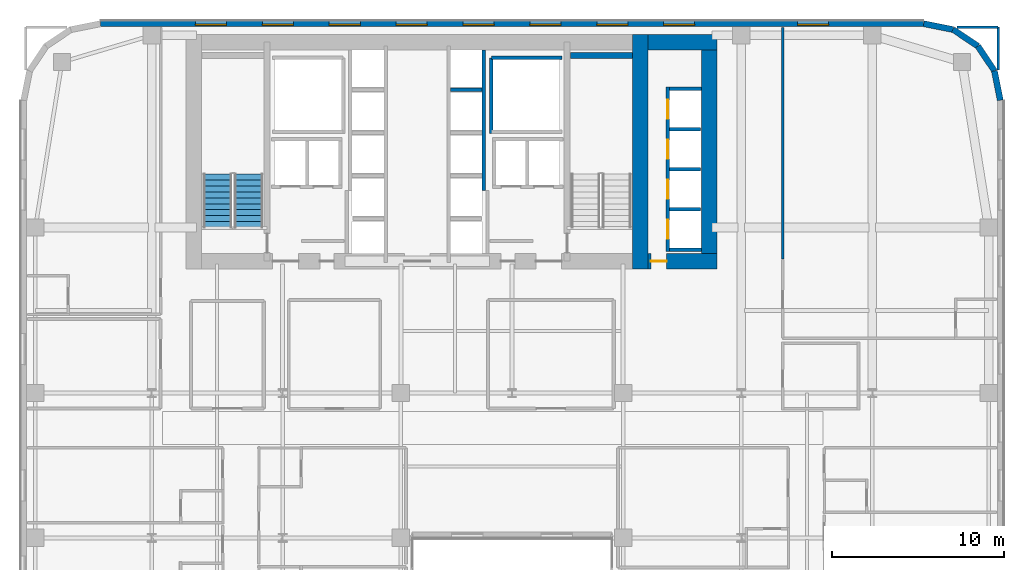
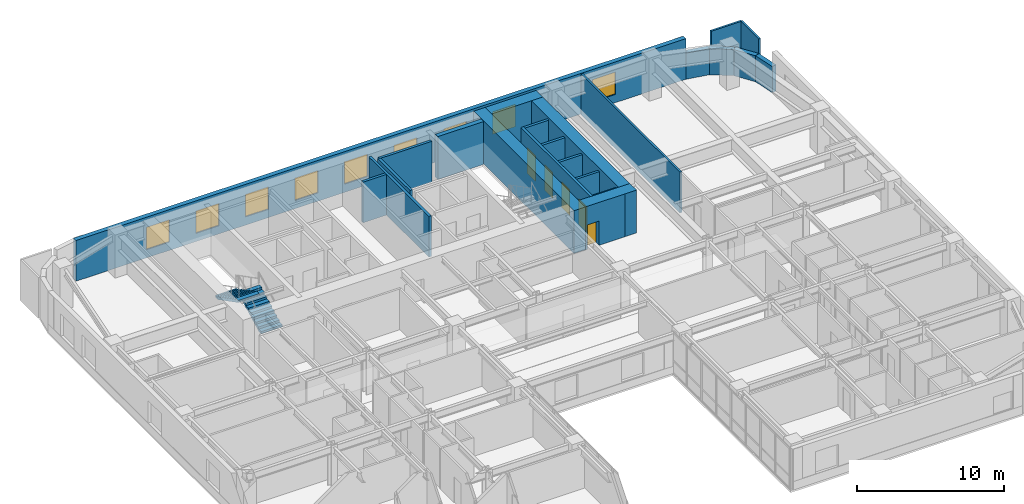
# One storey, part 19 of 25: 23 walls, 9 windows, 5 doors, 2 stair flights, 14 openings, 1 element without a shape of its own.
"""IFC4 building model written with IfcOpenShell, lengths in metres."""

from ifc_helpers import new_model, si_unit, direction, frame, frame_2d, origin, place, context, subcontext, project, spatial, polyline, rectangle, outline, extrude, source, transform, mapped, material, layer, layer_set, type_object, type_shapes, element, fill, aggregate, save


model = new_model("IFC4")

# Units and contexts
model_context = context("Model", 3, precision=1e-05, world=origin(), true_north=direction((0.0, 1.0)))
body_context = subcontext(model_context, "Body", "Model", "MODEL_VIEW")
ifc_project = project(units=[si_unit("LENGTHUNIT", "METRE"), si_unit("AREAUNIT", "SQUARE_METRE"), si_unit("VOLUMEUNIT", "CUBIC_METRE"), si_unit("PLANEANGLEUNIT", "RADIAN"), si_unit("MASSUNIT", "GRAM", prefix="KILO")], contexts=[model_context])

# Site, building, storey
site_placement = place(None, origin())
site = spatial("IfcSite", under=ifc_project, at=site_placement, CompositionType="ELEMENT")
building_placement = place(site_placement, origin())
building = spatial("IfcBuilding", under=site, at=building_placement, Name="Tolvann Quenvar Hotel", CompositionType="ELEMENT")
storey_placement = place(building_placement, frame((0.0, 0.0, 39.10009765625)))
storey = spatial("IfcBuildingStorey", under=building, at=storey_placement, Name="L08", CompositionType="ELEMENT", Elevation=39.10009765625)

# Wall
ifc_material_1 = material(Name="Concrete S80 (80 MPa)", Category="concrete")
ifc_layer_1 = layer(ifc_material_1, 0.89990234375)
ifc_layer_set_1 = layer_set([ifc_layer_1], Name="Concrete S80 (80 MPa)")
wall_type_1 = type_object("IfcWallType", Name="WALL_CORE_900", PredefinedType="SHEAR", material=ifc_layer_set_1)
wall_1_placement = place(storey_placement, frame((35.949951171875, 31.60009765625, 0.0), z_axis=(0.0, 0.0, 1.0), x_axis=(0.0, 1.0, 0.0)))
element("IfcWall", 1, at=wall_1_placement, inside=storey, type_object=wall_type_1, Name="Rear Core E Shear Wall (L08)", PredefinedType="SHEAR", context=body_context, shape_type="SweptSolid", body=[
    extrude(rectangle(XDim=13.599853515625, YDim=0.89990234375, at=frame_2d((6.7998046875, 0.0))), origin(), (0.0, 0.0, 1.0), 3.5498046875),
])

# Wall, opening, door
wall_2_placement = place(storey_placement, frame((36.39990234375, 32.050048828125, 0.0), z_axis=(0.0, 0.0, 1.0), x_axis=(1.0, 0.0, 0.0)))
wall_2 = element("IfcWall", 2, at=wall_2_placement, inside=storey, type_object=wall_type_1, Name="Core East Annex Shear Wall ANN-S (L08)", PredefinedType="SHEAR", context=body_context, shape_type="SweptSolid", body=[
    extrude(rectangle(XDim=4.0, YDim=0.89990234375, at=frame_2d((2.0, 0.0))), origin(), (0.0, 0.0, 1.0), 3.5498046875),
])
opening_1_placement = place(wall_2_placement, frame((1.06982421875, 0.0, 0.0), z_axis=(0.0, 0.0, 1.0), x_axis=(-1.0, 0.0, 0.0)))
opening_1 = element("IfcOpeningElement", 3, at=opening_1_placement, cuts=wall_2, Name="Opening WD-01", PredefinedType="OPENING", context=body_context, shape_type="SweptSolid", body=[
    extrude(rectangle(XDim=0.919921875, YDim=2.010009765625, at=frame_2d((0.4599609375, 1.0048828125))), frame((0.0, 0.4599609375, 0.0), z_axis=(0.0, -1.0, 0.0), x_axis=(1.0, 0.0, 0.0)), (0.0, 0.0, 1.0), 0.919921875),
])
ifc_material_2 = material(Name="Solid-core American oak acoustic fire door leaf in steel frame", Category="steel")
door_type_1 = type_object("IfcDoorType", Name="DOOR_WC_920", OperationType="NOTDEFINED", PredefinedType="DOOR", material=ifc_material_2)
shared_shape_1 = source(origin(), body_context, "Body", "SweptSolid", [
    extrude(rectangle(XDim=0.919921875, YDim=2.010009765625, at=frame_2d((0.4599609375, 1.0048828125))), frame((0.0, 0.02490234375, 0.0), z_axis=(0.0, -1.0, 0.0), x_axis=(1.0, 0.0, 0.0)), (0.0, 0.0, 1.0), 0.050048828125),
])
type_shapes(door_type_1, [shared_shape_1])
door_1_placement = place(opening_1_placement, origin())
door_1 = element("IfcDoor", 4, at=door_1_placement, inside=storey, type_object=door_type_1, Name="Low-Rise Lift Lobby Fire Door (L08)", OperationType="SINGLE_SWING_RIGHT", OverallHeight=2.010009765625, OverallWidth=0.919921875, PredefinedType="DOOR", context=body_context, shape_type="MappedRepresentation", body=[
    mapped(shared_shape_1, transform((0.0, 0.0, 0.0), x_axis=(1.0, 0.0, 0.0), y_axis=(0.0, 1.0, 0.0), z_axis=(0.0, 0.0, 1.0), scale=1.0)),
])
fill(opening_1, door_1)

# Walls
wall_3_placement = place(storey_placement, frame((36.39990234375, 44.75, 0.0), z_axis=(0.0, 0.0, 1.0), x_axis=(1.0, 0.0, 0.0)))
element("IfcWall", 5, at=wall_3_placement, inside=storey, type_object=wall_type_1, Name="Core East Annex Shear Wall ANN-N (L08)", PredefinedType="SHEAR", context=body_context, shape_type="SweptSolid", body=[
    extrude(rectangle(XDim=4.0, YDim=0.89990234375, at=frame_2d((2.0, 0.0))), origin(), (0.0, 0.0, 1.0), 3.5498046875),
])
wall_4_placement = place(storey_placement, frame((39.949951171875, 31.60009765625, 0.0), z_axis=(0.0, 0.0, 1.0), x_axis=(0.0, 1.0, 0.0)))
element("IfcWall", 6, at=wall_4_placement, inside=storey, type_object=wall_type_1, Name="Core East Annex Shear Wall ANN-E (L08)", PredefinedType="SHEAR", context=body_context, shape_type="SweptSolid", body=[
    extrude(rectangle(XDim=13.599853515625, YDim=0.89990234375, at=frame_2d((6.7998046875, 0.0))), origin(), (0.0, 0.0, 1.0), 3.5498046875),
])
ifc_material_3 = material(Name="Concrete S65 (65 MPa)", Category="concrete")
ifc_layer_2 = layer(ifc_material_3, 0.35009765625)
ifc_layer_set_2 = layer_set([ifc_layer_2], Name="Concrete S65 (65 MPa)")
wall_type_2 = type_object("IfcWallType", Name="WALL_CORE_INT_350", PredefinedType="SHEAR", material=ifc_layer_set_2)
wall_5_placement = place(storey_placement, frame((31.8798828125, 43.97509765625, 0.0), z_axis=(0.0, 0.0, 1.0), x_axis=(1.0, 0.0, 0.0)))
element("IfcWall", 7, at=wall_5_placement, inside=storey, type_object=wall_type_2, Name="Core Stair North Closing Shear Wall STC2-N (L08)", PredefinedType="SHEAR", context=body_context, shape_type="SweptSolid", body=[
    extrude(rectangle(XDim=3.60009765625, YDim=0.35009765625, at=frame_2d((1.800048828125, 0.0))), origin(), (0.0, 0.0, 1.0), 3.5498046875),
])
ifc_material_4 = material(Name="Kiln-fired red and buff architectural clay brickwork and terracotta masonry", Category="masonry")
ifc_layer_3 = layer(ifc_material_4, 0.35009765625)
ifc_layer_set_3 = layer_set([ifc_layer_3], Name="Kiln-fired red and buff architectural clay brickwork and terracotta masonry")
wall_type_3 = type_object("IfcWallType", Name="WALL_EXT_BRICK_350", PredefinedType="SOLIDWALL", material=ifc_layer_set_3)
wall_6_placement = place(storey_placement, frame((56.824951171875, 41.3828125, 0.0), z_axis=(0.0, 0.0, 1.0), x_axis=(-0.195011420161, 0.980800971659, 0.0)))
element("IfcWall", 8, at=wall_6_placement, inside=storey, type_object=wall_type_3, Name="Exterior Chicago Brick Wall L08-E14", PredefinedType="SOLIDWALL", context=body_context, shape_type="SweptSolid", body=[
    extrude(rectangle(XDim=1.74267578125, YDim=0.35009765625, at=frame_2d((0.871337890625, 0.0))), origin(), (0.0, 0.0, 1.0), 2.159912109375),
])
for number, where, z_axis, x_axis, name in (
    (9, (56.485107421875, 43.092041015625, 0.0), (0.0, 0.0, 1.0), (-0.55554893791, 0.831483840845, 0.0), "Exterior Chicago Brick Wall L08-E15"),
    (10, (55.526611328125, 44.526611328125, 0.0), (0.0, 0.0, 1.0), (-0.831483840845, 0.55554893791, 0.0), "Exterior Chicago Brick Wall L08-E16"),
):
    element("IfcWall", number, at=place(storey_placement, frame(where, z_axis=z_axis, x_axis=x_axis)), inside=storey, type_object=wall_type_3, Name=name, PredefinedType="SOLIDWALL", context=body_context, shape_type="SweptSolid", body=[
        extrude(rectangle(XDim=1.725341796875, YDim=0.35009765625, at=frame_2d((0.86279296875, 0.0))), origin(), (0.0, 0.0, 1.0), 2.159912109375),
    ])
wall_7_placement = place(storey_placement, frame((54.092041015625, 45.485107421875, 0.0), z_axis=(0.0, 0.0, 1.0), x_axis=(-0.980800971659, 0.195011420161, 0.0)))
element("IfcWall", 11, at=wall_7_placement, inside=storey, type_object=wall_type_3, Name="Exterior Chicago Brick Wall L08-E17", PredefinedType="SOLIDWALL", context=body_context, shape_type="SweptSolid", body=[
    extrude(rectangle(XDim=1.74267578125, YDim=0.35009765625, at=frame_2d((0.871337890625, 0.0))), origin(), (0.0, 0.0, 1.0), 2.159912109375),
])

# Wall, openings, windows
wall_8_placement = place(storey_placement, frame((52.3828125, 45.824951171875, 0.0), z_axis=(0.0, 0.0, 1.0), x_axis=(-1.0, 0.0, 0.0)))
wall_8 = element("IfcWall", 12, at=wall_8_placement, inside=storey, type_object=wall_type_3, Name="Exterior Chicago Brick Wall L08-E18", PredefinedType="SOLIDWALL", context=body_context, shape_type="SweptSolid", body=[
    extrude(rectangle(XDim=47.765625, YDim=0.35009765625, at=frame_2d((23.8828125, 0.0))), origin(), (0.0, 0.0, 1.0), 3.369873046875),
])
opening_2_placement = place(wall_8_placement, frame((5.52099609375, 0.0, 0.679931640625)))
opening_2 = element("IfcOpeningElement", 13, at=opening_2_placement, cuts=wall_8, Name="Opening W-03", PredefinedType="OPENING", context=body_context, shape_type="SweptSolid", body=[
    extrude(rectangle(XDim=1.800048828125, YDim=1.85009765625, at=frame_2d((0.89990234375, 0.925048828125))), frame((0.0, 0.18505859375, 0.0), z_axis=(0.0, -1.0, 0.0), x_axis=(1.0, 0.0, 0.0)), (0.0, 0.0, 1.0), 0.3701171875),
])
opening_3_placement = place(wall_8_placement, frame((13.281982421875, 0.0, 0.679931640625)))
opening_3 = element("IfcOpeningElement", 14, at=opening_3_placement, cuts=wall_8, Name="Opening W-03", PredefinedType="OPENING", context=body_context, shape_type="SweptSolid", body=[
    extrude(rectangle(XDim=1.800048828125, YDim=1.85009765625, at=frame_2d((0.89990234375, 0.925048828125))), frame((0.0, 0.18505859375, 0.0), z_axis=(0.0, -1.0, 0.0), x_axis=(1.0, 0.0, 0.0)), (0.0, 0.0, 1.0), 0.3701171875),
])
opening_4_placement = place(wall_8_placement, frame((17.162109375, 0.0, 0.679931640625)))
opening_4 = element("IfcOpeningElement", 15, at=opening_4_placement, cuts=wall_8, Name="Opening W-03", PredefinedType="OPENING", context=body_context, shape_type="SweptSolid", body=[
    extrude(rectangle(XDim=1.800048828125, YDim=1.85009765625, at=frame_2d((0.89990234375, 0.925048828125))), frame((0.0, 0.18505859375, 0.0), z_axis=(0.0, -1.0, 0.0), x_axis=(1.0, 0.0, 0.0)), (0.0, 0.0, 1.0), 0.3701171875),
])
opening_5_placement = place(wall_8_placement, frame((21.04296875, 0.0, 0.679931640625)))
opening_5 = element("IfcOpeningElement", 16, at=opening_5_placement, cuts=wall_8, Name="Opening W-03", PredefinedType="OPENING", context=body_context, shape_type="SweptSolid", body=[
    extrude(rectangle(XDim=1.800048828125, YDim=1.85009765625, at=frame_2d((0.89990234375, 0.925048828125))), frame((0.0, 0.18505859375, 0.0), z_axis=(0.0, -1.0, 0.0), x_axis=(1.0, 0.0, 0.0)), (0.0, 0.0, 1.0), 0.3701171875),
])
opening_6_placement = place(wall_8_placement, frame((24.923095703125, 0.0, 0.679931640625)))
opening_6 = element("IfcOpeningElement", 17, at=opening_6_placement, cuts=wall_8, Name="Opening W-03", PredefinedType="OPENING", context=body_context, shape_type="SweptSolid", body=[
    extrude(rectangle(XDim=1.800048828125, YDim=1.85009765625, at=frame_2d((0.89990234375, 0.925048828125))), frame((0.0, 0.18505859375, 0.0), z_axis=(0.0, -1.0, 0.0), x_axis=(1.0, 0.0, 0.0)), (0.0, 0.0, 1.0), 0.3701171875),
])
opening_7_placement = place(wall_8_placement, frame((28.803955078125, 0.0, 0.679931640625)))
opening_7 = element("IfcOpeningElement", 18, at=opening_7_placement, cuts=wall_8, Name="Opening W-03", PredefinedType="OPENING", context=body_context, shape_type="SweptSolid", body=[
    extrude(rectangle(XDim=1.800048828125, YDim=1.85009765625, at=frame_2d((0.89990234375, 0.925048828125))), frame((0.0, 0.18505859375, 0.0), z_axis=(0.0, -1.0, 0.0), x_axis=(1.0, 0.0, 0.0)), (0.0, 0.0, 1.0), 0.3701171875),
])
opening_8_placement = place(wall_8_placement, frame((32.68408203125, 0.0, 0.679931640625)))
opening_8 = element("IfcOpeningElement", 19, at=opening_8_placement, cuts=wall_8, Name="Opening W-03", PredefinedType="OPENING", context=body_context, shape_type="SweptSolid", body=[
    extrude(rectangle(XDim=1.800048828125, YDim=1.85009765625, at=frame_2d((0.89990234375, 0.925048828125))), frame((0.0, 0.18505859375, 0.0), z_axis=(0.0, -1.0, 0.0), x_axis=(1.0, 0.0, 0.0)), (0.0, 0.0, 1.0), 0.3701171875),
])
opening_9_placement = place(wall_8_placement, frame((36.56396484375, 0.0, 0.679931640625)))
opening_9 = element("IfcOpeningElement", 20, at=opening_9_placement, cuts=wall_8, Name="Opening W-03", PredefinedType="OPENING", context=body_context, shape_type="SweptSolid", body=[
    extrude(rectangle(XDim=1.800048828125, YDim=1.85009765625, at=frame_2d((0.89990234375, 0.925048828125))), frame((0.0, 0.18505859375, 0.0), z_axis=(0.0, -1.0, 0.0), x_axis=(1.0, 0.0, 0.0)), (0.0, 0.0, 1.0), 0.3701171875),
])
opening_10_placement = place(wall_8_placement, frame((40.445068359375, 0.0, 0.679931640625)))
opening_10 = element("IfcOpeningElement", 21, at=opening_10_placement, cuts=wall_8, Name="Opening W-03", PredefinedType="OPENING", context=body_context, shape_type="SweptSolid", body=[
    extrude(rectangle(XDim=1.800048828125, YDim=1.85009765625, at=frame_2d((0.89990234375, 0.925048828125))), frame((0.0, 0.18505859375, 0.0), z_axis=(0.0, -1.0, 0.0), x_axis=(1.0, 0.0, 0.0)), (0.0, 0.0, 1.0), 0.3701171875),
])
ifc_material_5 = material(Name="Thermally broken bronze-anodised aluminium frame with double low-E glazing", Category="aluminium")
window_type = type_object("IfcWindowType", Name="WIN_CHI_1800x2050", PartitioningType="TRIPLE_PANEL_HORIZONTAL", PredefinedType="WINDOW", material=ifc_material_5)
shared_shape_2 = source(origin(), body_context, "Body", "SweptSolid", [
    extrude(rectangle(XDim=1.800048828125, YDim=1.85009765625, at=frame_2d((0.89990234375, 0.925048828125))), frame((0.0, 0.090087890625, 0.0), z_axis=(0.0, -1.0, 0.0), x_axis=(1.0, 0.0, 0.0)), (0.0, 0.0, 1.0), 0.06005859375),
])
type_shapes(window_type, [shared_shape_2])
window_1_placement = place(opening_2_placement, origin())
window_1 = element("IfcWindow", 22, at=window_1_placement, inside=storey, type_object=window_type, Name="Chicago Window W-03 (EW-L08-E18-W01)", OverallHeight=1.85009765625, OverallWidth=1.800048828125, PartitioningType="TRIPLE_PANEL_HORIZONTAL", PredefinedType="WINDOW", context=body_context, shape_type="MappedRepresentation", body=[
    mapped(shared_shape_2, transform((0.0, 0.0, 0.0), x_axis=(1.0, 0.0, 0.0), y_axis=(0.0, 1.0, 0.0), z_axis=(0.0, 0.0, 1.0), scale=1.0)),
])
fill(opening_2, window_1)
window_2_placement = place(opening_3_placement, origin())
window_2 = element("IfcWindow", 23, at=window_2_placement, inside=storey, type_object=window_type, Name="Chicago Window W-03 (EW-L08-E18-W02)", OverallHeight=1.85009765625, OverallWidth=1.800048828125, PartitioningType="TRIPLE_PANEL_HORIZONTAL", PredefinedType="WINDOW", context=body_context, shape_type="MappedRepresentation", body=[
    mapped(shared_shape_2, transform((0.0, 0.0, 0.0), x_axis=(1.0, 0.0, 0.0), y_axis=(0.0, 1.0, 0.0), z_axis=(0.0, 0.0, 1.0), scale=1.0)),
])
fill(opening_3, window_2)
window_3_placement = place(opening_4_placement, origin())
window_3 = element("IfcWindow", 24, at=window_3_placement, inside=storey, type_object=window_type, Name="Chicago Window W-03 (EW-L08-E18-W03)", OverallHeight=1.85009765625, OverallWidth=1.800048828125, PartitioningType="TRIPLE_PANEL_HORIZONTAL", PredefinedType="WINDOW", context=body_context, shape_type="MappedRepresentation", body=[
    mapped(shared_shape_2, transform((0.0, 0.0, 0.0), x_axis=(1.0, 0.0, 0.0), y_axis=(0.0, 1.0, 0.0), z_axis=(0.0, 0.0, 1.0), scale=1.0)),
])
fill(opening_4, window_3)
window_4_placement = place(opening_5_placement, origin())
window_4 = element("IfcWindow", 25, at=window_4_placement, inside=storey, type_object=window_type, Name="Chicago Window W-03 (EW-L08-E18-W04)", OverallHeight=1.85009765625, OverallWidth=1.800048828125, PartitioningType="TRIPLE_PANEL_HORIZONTAL", PredefinedType="WINDOW", context=body_context, shape_type="MappedRepresentation", body=[
    mapped(shared_shape_2, transform((0.0, 0.0, 0.0), x_axis=(1.0, 0.0, 0.0), y_axis=(0.0, 1.0, 0.0), z_axis=(0.0, 0.0, 1.0), scale=1.0)),
])
fill(opening_5, window_4)
window_5_placement = place(opening_6_placement, origin())
window_5 = element("IfcWindow", 26, at=window_5_placement, inside=storey, type_object=window_type, Name="Chicago Window W-03 (EW-L08-E18-W05)", OverallHeight=1.85009765625, OverallWidth=1.800048828125, PartitioningType="TRIPLE_PANEL_HORIZONTAL", PredefinedType="WINDOW", context=body_context, shape_type="MappedRepresentation", body=[
    mapped(shared_shape_2, transform((0.0, 0.0, 0.0), x_axis=(1.0, 0.0, 0.0), y_axis=(0.0, 1.0, 0.0), z_axis=(0.0, 0.0, 1.0), scale=1.0)),
])
fill(opening_6, window_5)
window_6_placement = place(opening_7_placement, origin())
window_6 = element("IfcWindow", 27, at=window_6_placement, inside=storey, type_object=window_type, Name="Chicago Window W-03 (EW-L08-E18-W06)", OverallHeight=1.85009765625, OverallWidth=1.800048828125, PartitioningType="TRIPLE_PANEL_HORIZONTAL", PredefinedType="WINDOW", context=body_context, shape_type="MappedRepresentation", body=[
    mapped(shared_shape_2, transform((0.0, 0.0, 0.0), x_axis=(1.0, 0.0, 0.0), y_axis=(0.0, 1.0, 0.0), z_axis=(0.0, 0.0, 1.0), scale=1.0)),
])
fill(opening_7, window_6)
window_7_placement = place(opening_8_placement, origin())
window_7 = element("IfcWindow", 28, at=window_7_placement, inside=storey, type_object=window_type, Name="Chicago Window W-03 (EW-L08-E18-W07)", OverallHeight=1.85009765625, OverallWidth=1.800048828125, PartitioningType="TRIPLE_PANEL_HORIZONTAL", PredefinedType="WINDOW", context=body_context, shape_type="MappedRepresentation", body=[
    mapped(shared_shape_2, transform((0.0, 0.0, 0.0), x_axis=(1.0, 0.0, 0.0), y_axis=(0.0, 1.0, 0.0), z_axis=(0.0, 0.0, 1.0), scale=1.0)),
])
fill(opening_8, window_7)
window_8_placement = place(opening_9_placement, origin())
window_8 = element("IfcWindow", 29, at=window_8_placement, inside=storey, type_object=window_type, Name="Chicago Window W-03 (EW-L08-E18-W08)", OverallHeight=1.85009765625, OverallWidth=1.800048828125, PartitioningType="TRIPLE_PANEL_HORIZONTAL", PredefinedType="WINDOW", context=body_context, shape_type="MappedRepresentation", body=[
    mapped(shared_shape_2, transform((0.0, 0.0, 0.0), x_axis=(1.0, 0.0, 0.0), y_axis=(0.0, 1.0, 0.0), z_axis=(0.0, 0.0, 1.0), scale=1.0)),
])
fill(opening_9, window_8)
window_9_placement = place(opening_10_placement, origin())
window_9 = element("IfcWindow", 30, at=window_9_placement, inside=storey, type_object=window_type, Name="Chicago Window W-03 (EW-L08-E18-W09)", OverallHeight=1.85009765625, OverallWidth=1.800048828125, PartitioningType="TRIPLE_PANEL_HORIZONTAL", PredefinedType="WINDOW", context=body_context, shape_type="MappedRepresentation", body=[
    mapped(shared_shape_2, transform((0.0, 0.0, 0.0), x_axis=(1.0, 0.0, 0.0), y_axis=(0.0, 1.0, 0.0), z_axis=(0.0, 0.0, 1.0), scale=1.0)),
])
fill(opening_10, window_9)

# Walls
ifc_material_6 = material(Name="Acoustic twin-stud fire-rated gypsum plasterboard partition")
ifc_layer_4 = layer(ifc_material_6, 0.14990234375)
ifc_layer_set_4 = layer_set([ifc_layer_4], Name="Acoustic twin-stud fire-rated gypsum plasterboard partition")
wall_type_4 = type_object("IfcWallType", Name="WALL_PART_SUITE_150", PredefinedType="PARTITIONING", material=ifc_layer_set_4)
wall_9_placement = place(storey_placement, frame((56.699951171875, 43.135009765625, 0.0), z_axis=(0.0, 0.0, 1.0), x_axis=(0.0, 1.0, 0.0)))
element("IfcWall", 31, at=wall_9_placement, inside=storey, type_object=wall_type_4, Name="Interior Partition PT-SPC-L08-RM-NE01-E4", PredefinedType="PARTITIONING", context=body_context, shape_type="SweptSolid", body=[
    extrude(rectangle(XDim=2.485107421875, YDim=0.14990234375, at=frame_2d((1.24267578125, 0.0))), origin(), (0.0, 0.0, 1.0), 3.369873046875),
])
wall_10_placement = place(storey_placement, frame((54.303955078125, 45.6201171875, 0.0), z_axis=(0.0, 0.0, 1.0), x_axis=(1.0, 0.0, 0.0)))
element("IfcWall", 32, at=wall_10_placement, inside=storey, type_object=wall_type_4, Name="Interior Partition PT-SPC-L08-RM-NE01-E5", PredefinedType="PARTITIONING", context=body_context, shape_type="SweptSolid", body=[
    extrude(rectangle(XDim=2.39599609375, YDim=0.14990234375, at=frame_2d((1.197998046875, 0.0))), origin(), (0.0, 0.0, 1.0), 3.369873046875),
])
wall_11_placement = place(storey_placement, frame((44.199951171875, 32.169921875, 0.0), z_axis=(0.0, 0.0, 1.0), x_axis=(0.0, 1.0, 0.0)))
element("IfcWall", 33, at=wall_11_placement, inside=storey, type_object=wall_type_4, Name="Interior Partition PT-SPC-L08-RM-NE01-E6", PredefinedType="PARTITIONING", context=body_context, shape_type="SweptSolid", body=[
    extrude(rectangle(XDim=13.425048828125, YDim=0.14990234375, at=frame_2d((6.71240234375, 0.0))), origin(), (0.0, 0.0, 1.0), 3.369873046875),
])
ifc_material_7 = material(Name="Concrete N40 (40 MPa)", Category="concrete")
ifc_layer_5 = layer(ifc_material_7, 0.199951171875)
ifc_layer_set_5 = layer_set([ifc_layer_5], Name="Concrete N40 (40 MPa)")
wall_type_5 = type_object("IfcWallType", Name="WALL_SHAFT_200", PredefinedType="SOLIDWALL", material=ifc_layer_set_5)
wall_12_placement = place(storey_placement, frame((27.300048828125, 39.449951171875, 0.0), z_axis=(0.0, 0.0, 1.0), x_axis=(0.0, 1.0, 0.0)))
element("IfcWall", 34, at=wall_12_placement, inside=storey, type_object=wall_type_5, Name="Service Riser E Shaft Wall IN (L08)", PredefinedType="SOLIDWALL", context=body_context, shape_type="SweptSolid", body=[
    extrude(rectangle(XDim=4.400146484375, YDim=0.199951171875, at=frame_2d((2.2001953125, 0.0))), origin(), (0.0, 0.0, 1.0), 3.369873046875),
])
wall_13_placement = place(storey_placement, frame((27.300048828125, 43.85009765625, 0.0), z_axis=(0.0, 0.0, 1.0), x_axis=(1.0, 0.0, 0.0)))
element("IfcWall", 35, at=wall_13_placement, inside=storey, type_object=wall_type_5, Name="Service Riser E Shaft Wall N (L08)", PredefinedType="SOLIDWALL", context=body_context, shape_type="SweptSolid", body=[
    extrude(rectangle(XDim=4.099853515625, YDim=0.199951171875, at=frame_2d((2.0498046875, 0.0))), origin(), (0.0, 0.0, 1.0), 3.369873046875),
])
wall_14_placement = place(storey_placement, frame((26.8701171875, 36.159912109375, 0.0), z_axis=(0.0, 0.0, 1.0), x_axis=(0.0, 1.0, 0.0)))
element("IfcWall", 36, at=wall_14_placement, inside=storey, type_object=wall_type_5, Name="Lift Bank W24.9C1 Hoistway Rear Wall (L08)", PredefinedType="SOLIDWALL", context=body_context, shape_type="SweptSolid", body=[
    extrude(rectangle(XDim=8.135986328125, YDim=0.199951171875, at=frame_2d((4.06787109375, 0.0))), origin(), (0.0, 0.0, 1.0), 3.369873046875),
])
wall_15_placement = place(storey_placement, frame((24.929931640625, 42.0, 0.0), z_axis=(0.0, 0.0, 1.0), x_axis=(1.0, 0.0, 0.0)))
element("IfcWall", 37, at=wall_15_placement, inside=storey, type_object=wall_type_5, Name="Lift Bank W24.9C1 Divider Wall 4 (L08)", PredefinedType="SOLIDWALL", context=body_context, shape_type="SweptSolid", body=[
    extrude(rectangle(XDim=1.840087890625, YDim=0.199951171875, at=frame_2d((0.919921875, 0.0))), origin(), (0.0, 0.0, 1.0), 3.369873046875),
])

# Wall, openings, doors
wall_16_placement = place(storey_placement, frame((37.530029296875, 32.610107421875, 0.0), z_axis=(0.0, 0.0, 1.0), x_axis=(0.0, 1.0, 0.0)))
wall_16 = element("IfcWall", 38, at=wall_16_placement, inside=storey, type_object=wall_type_5, Name="Lift Bank W37.6C1 Hoistway Front Wall (L08)", PredefinedType="SOLIDWALL", context=body_context, shape_type="SweptSolid", body=[
    extrude(rectangle(XDim=9.539794921875, YDim=0.199951171875, at=frame_2d((4.77001953125, 0.0))), origin(), (0.0, 0.0, 1.0), 3.369873046875),
])
opening_11_placement = place(wall_16_placement, frame((0.739990234375, 0.0, 0.0)))
opening_11 = element("IfcOpeningElement", 39, at=opening_11_placement, cuts=wall_16, Name="Opening LD-01", PredefinedType="OPENING", context=body_context, shape_type="SweptSolid", body=[
    extrude(rectangle(XDim=1.10009765625, YDim=2.1201171875, at=frame_2d((0.550048828125, 1.06005859375))), frame((0.0, 0.10986328125, 0.0), z_axis=(0.0, -1.0, 0.0), x_axis=(1.0, 0.0, 0.0)), (0.0, 0.0, 1.0), 0.219970703125),
])
opening_12_placement = place(wall_16_placement, frame((3.06005859375, 0.0, 0.0)))
opening_12 = element("IfcOpeningElement", 40, at=opening_12_placement, cuts=wall_16, Name="Opening LD-01", PredefinedType="OPENING", context=body_context, shape_type="SweptSolid", body=[
    extrude(rectangle(XDim=1.10009765625, YDim=2.1201171875, at=frame_2d((0.550048828125, 1.06005859375))), frame((0.0, 0.10986328125, 0.0), z_axis=(0.0, -1.0, 0.0), x_axis=(1.0, 0.0, 0.0)), (0.0, 0.0, 1.0), 0.219970703125),
])
opening_13_placement = place(wall_16_placement, frame((5.3798828125, 0.0, 0.0)))
opening_13 = element("IfcOpeningElement", 41, at=opening_13_placement, cuts=wall_16, Name="Opening LD-01", PredefinedType="OPENING", context=body_context, shape_type="SweptSolid", body=[
    extrude(rectangle(XDim=1.10009765625, YDim=2.1201171875, at=frame_2d((0.550048828125, 1.06005859375))), frame((0.0, 0.10986328125, 0.0), z_axis=(0.0, -1.0, 0.0), x_axis=(1.0, 0.0, 0.0)), (0.0, 0.0, 1.0), 0.219970703125),
])
opening_14_placement = place(wall_16_placement, frame((7.699951171875, 0.0, 0.0)))
opening_14 = element("IfcOpeningElement", 42, at=opening_14_placement, cuts=wall_16, Name="Opening LD-01", PredefinedType="OPENING", context=body_context, shape_type="SweptSolid", body=[
    extrude(rectangle(XDim=1.10009765625, YDim=2.1201171875, at=frame_2d((0.550048828125, 1.06005859375))), frame((0.0, 0.10986328125, 0.0), z_axis=(0.0, -1.0, 0.0), x_axis=(1.0, 0.0, 0.0)), (0.0, 0.0, 1.0), 0.219970703125),
])
ifc_material_8 = material(Name="Brushed 316 stainless steel automatic sliding lift landing door", Category="steel")
door_type_2 = type_object("IfcDoorType", Name="DOOR_LIFT_SLIDE_1100", OperationType="NOTDEFINED", PredefinedType="DOOR", material=ifc_material_8)
shared_shape_3 = source(origin(), body_context, "Body", "SweptSolid", [
    extrude(rectangle(XDim=1.10009765625, YDim=2.1201171875, at=frame_2d((0.550048828125, 1.06005859375))), frame((0.0, 0.02490234375, 0.0), z_axis=(0.0, -1.0, 0.0), x_axis=(1.0, 0.0, 0.0)), (0.0, 0.0, 1.0), 0.050048828125),
])
type_shapes(door_type_2, [shared_shape_3])
door_2_placement = place(opening_11_placement, origin())
door_2 = element("IfcDoor", 43, at=door_2_placement, inside=storey, type_object=door_type_2, Name="Lift PL-1 Sliding Landing Door (L08)", OperationType="SLIDING_TO_LEFT", OverallHeight=2.1201171875, OverallWidth=1.10009765625, PredefinedType="DOOR", context=body_context, shape_type="MappedRepresentation", body=[
    mapped(shared_shape_3, transform((0.0, 0.0, 0.0), x_axis=(1.0, 0.0, 0.0), y_axis=(0.0, 1.0, 0.0), z_axis=(0.0, 0.0, 1.0), scale=1.0)),
])
fill(opening_11, door_2)
door_3_placement = place(opening_12_placement, origin())
door_3 = element("IfcDoor", 44, at=door_3_placement, inside=storey, type_object=door_type_2, Name="Lift PL-2 Sliding Landing Door (L08)", OperationType="SLIDING_TO_RIGHT", OverallHeight=2.1201171875, OverallWidth=1.10009765625, PredefinedType="DOOR", context=body_context, shape_type="MappedRepresentation", body=[
    mapped(shared_shape_3, transform((0.0, 0.0, 0.0), x_axis=(1.0, 0.0, 0.0), y_axis=(0.0, 1.0, 0.0), z_axis=(0.0, 0.0, 1.0), scale=1.0)),
])
fill(opening_12, door_3)
door_4_placement = place(opening_13_placement, origin())
door_4 = element("IfcDoor", 45, at=door_4_placement, inside=storey, type_object=door_type_2, Name="Lift PL-3 Sliding Landing Door (L08)", OperationType="SLIDING_TO_LEFT", OverallHeight=2.1201171875, OverallWidth=1.10009765625, PredefinedType="DOOR", context=body_context, shape_type="MappedRepresentation", body=[
    mapped(shared_shape_3, transform((0.0, 0.0, 0.0), x_axis=(1.0, 0.0, 0.0), y_axis=(0.0, 1.0, 0.0), z_axis=(0.0, 0.0, 1.0), scale=1.0)),
])
fill(opening_13, door_4)
door_5_placement = place(opening_14_placement, origin())
door_5 = element("IfcDoor", 46, at=door_5_placement, inside=storey, type_object=door_type_2, Name="Lift PL-4 Sliding Landing Door (L08)", OperationType="SLIDING_TO_RIGHT", OverallHeight=2.1201171875, OverallWidth=1.10009765625, PredefinedType="DOOR", context=body_context, shape_type="MappedRepresentation", body=[
    mapped(shared_shape_3, transform((0.0, 0.0, 0.0), x_axis=(1.0, 0.0, 0.0), y_axis=(0.0, 1.0, 0.0), z_axis=(0.0, 0.0, 1.0), scale=1.0)),
])
fill(opening_14, door_5)

# Walls
for number, where, z_axis, x_axis, name in (
    (47, (37.6298828125, 32.7099609375, 0.0), (0.0, 0.0, 1.0), (1.0, 0.0, 0.0), "Lift Bank W37.6C1 Hoistway Cheek Wall 1 (L08)"),
    (48, (37.6298828125, 42.050048828125, 0.0), (0.0, 0.0, 1.0), (1.0, 0.0, 0.0), "Lift Bank W37.6C1 Hoistway Cheek Wall 2 (L08)"),
):
    element("IfcWall", number, at=place(storey_placement, frame(where, z_axis=z_axis, x_axis=x_axis)), inside=storey, type_object=wall_type_5, Name=name, PredefinedType="SOLIDWALL", context=body_context, shape_type="SweptSolid", body=[
        extrude(rectangle(XDim=1.8701171875, YDim=0.199951171875, at=frame_2d((0.93505859375, 0.0))), origin(), (0.0, 0.0, 1.0), 3.369873046875),
    ])
for number, where, z_axis, x_axis, name in (
    (49, (37.6298828125, 35.06005859375, 0.0), (0.0, 0.0, 1.0), (1.0, 0.0, 0.0), "Lift Bank W37.6C1 Divider Wall 1 (L08)"),
    (50, (37.6298828125, 37.3798828125, 0.0), (0.0, 0.0, 1.0), (1.0, 0.0, 0.0), "Lift Bank W37.6C1 Divider Wall 2 (L08)"),
    (51, (37.6298828125, 39.699951171875, 0.0), (0.0, 0.0, 1.0), (1.0, 0.0, 0.0), "Lift Bank W37.6C1 Divider Wall 3 (L08)"),
):
    element("IfcWall", number, at=place(storey_placement, frame(where, z_axis=z_axis, x_axis=x_axis)), inside=storey, type_object=wall_type_5, Name=name, PredefinedType="SOLIDWALL", context=body_context, shape_type="SweptSolid", body=[
        extrude(rectangle(XDim=1.800048828125, YDim=0.199951171875, at=frame_2d((0.89990234375, 0.0))), origin(), (0.0, 0.0, 1.0), 3.369873046875),
    ])

# Stair, stair flights
stair_type = type_object("IfcStairType", Name="STAIR", PredefinedType="HALF_TURN_STAIR", material=ifc_material_7)
stair_placement = place(storey_placement, origin())
stair = element("IfcStair", 52, at=stair_placement, inside=storey, type_object=stair_type, Name="L08 ST-C1", PredefinedType="HALF_TURN_STAIR")
stair_flight_type = type_object("IfcStairFlightType", Name="STAIR_FLIGHT", PredefinedType="STRAIGHT", material=ifc_material_7)
stair_flight_1_placement = place(storey_placement, frame((13.22509765625, 34.0, 0.0), z_axis=(0.0, 0.0, 1.0), x_axis=(0.0, 1.0, 0.0)))
stair_flight_1 = element("IfcStairFlight", 53, at=stair_flight_1_placement, type_object=stair_flight_type, Name="ST-C1 flight 1", NumberOfRisers=10, NumberOfTreads=9, PredefinedType="STRAIGHT", RiserHeight=0.1775, TreadLength=0.345, context=body_context, shape_type="SweptSolid", body=[
    extrude(outline(polyline([(0.0, 0.0), (0.0, 0.177490234375), (0.344970703125, 0.177490234375), (0.344970703125, 0.35498046875), (0.68994140625, 0.35498046875), (0.68994140625, 0.532470703125), (1.034912109375, 0.532470703125), (1.034912109375, 0.7099609375), (1.3798828125, 0.7099609375), (1.3798828125, 0.887451171875), (1.72509765625, 0.887451171875), (1.72509765625, 1.06494140625), (2.070068359375, 1.06494140625), (2.070068359375, 1.242431640625), (2.4150390625, 1.242431640625), (2.4150390625, 1.419921875), (2.760009765625, 1.419921875), (2.760009765625, 1.597412109375), (3.10498046875, 1.597412109375), (3.10498046875, 1.77490234375), (3.10498046875, 1.428955078125), (0.32763671875, 0.0), (0.0, 0.0)])), frame((0.0, 0.824951171875, 0.0), z_axis=(0.0, -1.0, 0.0), x_axis=(1.0, 0.0, 0.0)), (0.0, 0.0, 1.0), 1.64990234375),
])
stair_flight_2_placement = place(storey_placement, frame((11.425048828125, 37.10498046875, 1.77490234375), z_axis=(0.0, 0.0, 1.0), x_axis=(0.0, -1.0, 0.0)))
stair_flight_2 = element("IfcStairFlight", 54, at=stair_flight_2_placement, type_object=stair_flight_type, Name="ST-C1 flight 2", NumberOfRisers=10, NumberOfTreads=9, PredefinedType="STRAIGHT", RiserHeight=0.1775, TreadLength=0.345, context=body_context, shape_type="SweptSolid", body=[
    extrude(outline(polyline([(0.0, 0.0), (0.0, 0.177490234375), (0.344970703125, 0.177490234375), (0.344970703125, 0.35498046875), (0.68994140625, 0.35498046875), (0.68994140625, 0.532470703125), (1.034912109375, 0.532470703125), (1.034912109375, 0.7099609375), (1.3798828125, 0.7099609375), (1.3798828125, 0.887451171875), (1.72509765625, 0.887451171875), (1.72509765625, 1.06494140625), (2.070068359375, 1.06494140625), (2.070068359375, 1.242431640625), (2.4150390625, 1.242431640625), (2.4150390625, 1.419921875), (2.760009765625, 1.419921875), (2.760009765625, 1.597412109375), (3.10498046875, 1.597412109375), (3.10498046875, 1.77490234375), (3.10498046875, 1.428955078125), (0.32763671875, 0.0), (0.0, 0.0)])), frame((0.0, 0.824951171875, 0.0), z_axis=(0.0, -1.0, 0.0), x_axis=(1.0, 0.0, 0.0)), (0.0, 0.0, 1.0), 1.64990234375),
])
aggregate(stair, [stair_flight_1, stair_flight_2])

save(model, "model.ifc")
